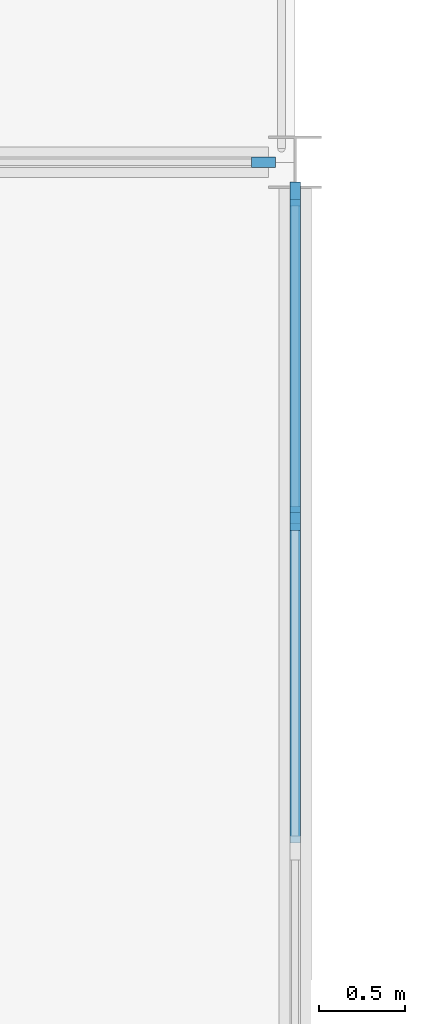
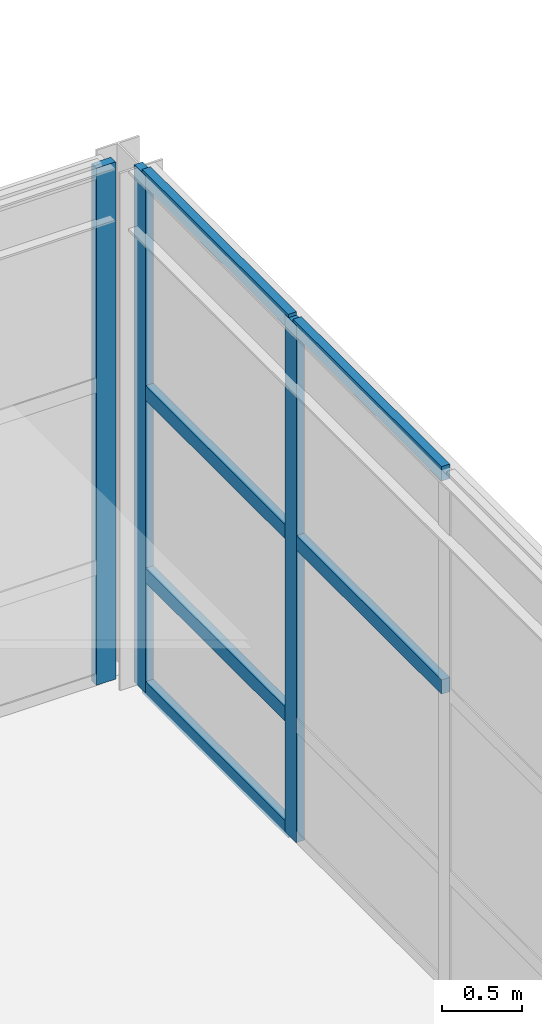
# One storey, part 10 of 15: 9 members, 2 elements without a shape of their own.
"""IFC4 building model written with IfcOpenShell, lengths in metres."""

import ifcopenshell
import ifcopenshell.guid

model = None  # the IFC model being written
_history = None  # IfcOwnerHistory: only IFC2X3 demands one
_inside = {}  # id of a spatial element -> (the spatial element, [elements in it])
_under = {}  # id of a project, library or spatial element -> (it, [spatial elements below it])
_declared = {}  # id of a project -> (the project, [libraries it declares])
_typed = {}  # id of a type object -> (the type object, [elements of that type])
_made_of = {}  # id of a material, layer set ... -> (it, [elements and type objects made of it])


def new_model(schema):
    """Start an empty IFC model of exactly this schema.

    Asked for "IFC4X3", IfcOpenShell would pick the latest addendum, in which some entities
    have other attributes; the version numbers below select the first issue.
    IFC2X3 requires an IfcOwnerHistory on every rooted entity: one is made here for all.
    """
    global model, _history
    if schema == "IFC4X3":
        model = ifcopenshell.file(schema_version=(4, 3, 0, 0))
    else:
        model = ifcopenshell.file(schema=schema)
    _inside.clear()
    _under.clear()
    _declared.clear()
    _typed.clear()
    _made_of.clear()
    _history = None
    if model.schema == "IFC2X3":
        org = make("IfcOrganization", Name="unknown")
        user = make(
            "IfcPersonAndOrganization",
            ThePerson=make("IfcPerson", FamilyName="unknown"),
            TheOrganization=org,
        )
        app = make(
            "IfcApplication",
            ApplicationDeveloper=org,
            Version="unknown",
            ApplicationFullName="unknown",
            ApplicationIdentifier="unknown",
        )
        _history = make(
            "IfcOwnerHistory",
            OwningUser=user,
            OwningApplication=app,
            ChangeAction="ADDED",
            CreationDate=0,
        )
    return model


def make(cls, **values):
    """One entity of the class cls with the attributes given. An attribute that is None is left unset."""
    return model.create_entity(
        cls, **{name: value for name, value in values.items() if value is not None}
    )


def rooted(cls, **values):
    """An entity with a GlobalId (a new one), such as an element, a storey or a relation."""
    return make(cls, GlobalId=ifcopenshell.guid.new(), OwnerHistory=_history, **values)


def si_unit(unit_type, name, prefix=None):
    """IfcSIUnit, for example si_unit("LENGTHUNIT", "METRE", prefix="MILLI")."""
    return make("IfcSIUnit", UnitType=unit_type, Prefix=prefix, Name=name)


def assignment(units):
    """IfcUnitAssignment: the units of a project."""
    return None if units is None else make("IfcUnitAssignment", Units=units)


def point(xyz):
    """IfcCartesianPoint."""
    return None if xyz is None else make("IfcCartesianPoint", Coordinates=xyz)


def direction(xyz):
    """IfcDirection."""
    return None if xyz is None else make("IfcDirection", DirectionRatios=xyz)


def frame(location, z_axis=None, x_axis=None):
    """IfcAxis2Placement3D, a coordinate frame: its origin and axes. An axis left out is left unset."""
    return make(
        "IfcAxis2Placement3D",
        Location=point(location),
        Axis=direction(z_axis),
        RefDirection=direction(x_axis),
    )


def frame_2d(location, x_axis=None):
    """IfcAxis2Placement2D, a coordinate frame in the plane: its origin and x axis."""
    return make(
        "IfcAxis2Placement2D", Location=point(location), RefDirection=direction(x_axis)
    )


def origin():
    """The frame at (0, 0, 0) with its axes left unset."""
    return frame((0.0, 0.0, 0.0))


def origin_2d():
    """The frame at (0, 0) in the plane with its x axis left unset."""
    return frame_2d((0.0, 0.0))


def place(relative_to, where):
    """IfcLocalPlacement: puts the frame where relative to a parent placement (None: the world)."""
    return make(
        "IfcLocalPlacement", PlacementRelTo=relative_to, RelativePlacement=where
    )


def context(
    kind, dimensions, precision=None, world=None, true_north=None, identifier=None
):
    """IfcGeometricRepresentationContext, for example the 3D "Model" context."""
    return make(
        "IfcGeometricRepresentationContext",
        ContextIdentifier=identifier,
        ContextType=kind,
        CoordinateSpaceDimension=dimensions,
        Precision=precision,
        WorldCoordinateSystem=world,
        TrueNorth=true_north,
    )


def subcontext(parent, identifier, kind, view, scale=None):
    """IfcGeometricRepresentationSubContext, for example "Body" below "Model"."""
    return make(
        "IfcGeometricRepresentationSubContext",
        ContextIdentifier=identifier,
        ContextType=kind,
        ParentContext=parent,
        TargetScale=scale,
        TargetView=view,
    )


def project(units=None, contexts=None):
    """IfcProject with its units and contexts."""
    return rooted(
        "IfcProject",
        Name="project",
        RepresentationContexts=contexts,
        UnitsInContext=assignment(units),
    )


def spatial(cls, under=None, at=None, **own):
    """A site, building, storey or space (cls), placed at a placement, below another one or the project."""
    s = rooted(cls, ObjectPlacement=at, **own)
    if under is not None:
        _under.setdefault(under.id(), (under, []))[1].append(s)
    return s


def profile(cls, at=None, kind="AREA", **sizes):
    """A parametric profile (cls). Its sizes go by their IFC names, for example OverallWidth=200.0."""
    return make(cls, ProfileType=kind, Position=at, **sizes)


def rectangle(**sizes):
    """IfcRectangleProfileDef."""
    return profile("IfcRectangleProfileDef", **sizes)


def extrude(swept, where, along, depth):
    """IfcExtrudedAreaSolid: the profile swept, set in the frame where, extruded along a direction by depth."""
    return make(
        "IfcExtrudedAreaSolid",
        SweptArea=swept,
        Position=where,
        ExtrudedDirection=direction(along),
        Depth=depth,
    )


def shape(context_of_items, identifier, shape_type, items):
    """IfcShapeRepresentation: the items that make up one representation, for example the "Body"."""
    return make(
        "IfcShapeRepresentation",
        ContextOfItems=context_of_items,
        RepresentationIdentifier=identifier,
        RepresentationType=shape_type,
        Items=items,
    )


def material(Name=None, Category=None):
    """IfcMaterial."""
    return make("IfcMaterial", Name=Name, Category=Category)


def layer(
    of_material, thickness, ventilated=None, Name=None, Category=None, Priority=None
):
    """IfcMaterialLayer: one layer of a wall or slab, of a material (None: an air gap)."""
    return make(
        "IfcMaterialLayer",
        Material=of_material,
        LayerThickness=thickness,
        IsVentilated=ventilated,
        Name=Name,
        Category=Category,
        Priority=Priority,
    )


def layer_set(layers, Name=None):
    """IfcMaterialLayerSet."""
    return make("IfcMaterialLayerSet", MaterialLayers=layers, LayerSetName=Name)


def material_profile(
    of_material, cross_section, Name=None, Category=None, Priority=None
):
    """IfcMaterialProfile: a cross section and its material."""
    return make(
        "IfcMaterialProfile",
        Name=Name,
        Material=of_material,
        Profile=cross_section,
        Priority=Priority,
        Category=Category,
    )


def profile_set(profiles, Name=None, composite=None):
    """IfcMaterialProfileSet."""
    return make(
        "IfcMaterialProfileSet",
        Name=Name,
        MaterialProfiles=profiles,
        CompositeProfile=composite,
    )


def made_of(thing, what):
    """Note that an element or type object is made of a material, layer set ...; save() writes the relation."""
    if what is not None:
        _made_of.setdefault(what.id(), (what, []))[1].append(thing)
    return thing


def type_object(cls, material=None, **own):
    """A type object (cls), such as IfcWallType, which elements share."""
    return made_of(rooted(cls, **own), material)


def element(
    cls,
    number,
    at=None,
    inside=None,
    cuts=None,
    type_object=None,
    material=None,
    context=None,
    identifier="Body",
    shape_type=None,
    held_by="IfcProductDefinitionShape",
    body=None,
    shapes=None,
    **own,
):
    """One element of the class cls, such as IfcWall. Its Tag is "e" and its number.

    at: its placement. inside: the storey or other place that contains it. cuts: it is an
    opening in that element (IfcRelVoidsElement). A single representation is given by context,
    identifier, shape_type and body (its items); several are given by shapes. held_by: the class
    of the entity that holds the representations. save() writes the other relations.
    """
    e = rooted(cls, Tag="e%d" % number, ObjectPlacement=at, **own)
    if body is not None:
        shapes = [shape(context, identifier, shape_type, body)]
    if shapes is not None:
        e.Representation = make(held_by, Representations=shapes)
    if inside is not None:
        _inside.setdefault(inside.id(), (inside, []))[1].append(e)
    if cuts is not None:
        rooted(
            "IfcRelVoidsElement", RelatingBuildingElement=cuts, RelatedOpeningElement=e
        )
    if type_object is not None:
        _typed.setdefault(type_object.id(), (type_object, []))[1].append(e)
    return made_of(e, material)


def aggregate(whole, parts):
    """IfcRelAggregates: a whole, such as a stair, and the parts it consists of."""
    return rooted("IfcRelAggregates", RelatingObject=whole, RelatedObjects=parts)


def save(model, path):
    """Write the relations noted so far, then the file.

    IfcRelAggregates (storeys below a building ...), IfcRelContainedInSpatialStructure (elements
    in a storey), IfcRelDefinesByType, IfcRelAssociatesMaterial and IfcRelDeclares: one each for
    every whole, place, type object, material and project.
    """
    for whole, parts in _under.values():
        aggregate(whole, parts)
    for where, things in _inside.values():
        rooted(
            "IfcRelContainedInSpatialStructure",
            RelatedElements=things,
            RelatingStructure=where,
        )
    for kind, things in _typed.values():
        rooted("IfcRelDefinesByType", RelatedObjects=things, RelatingType=kind)
    for what, things in _made_of.values():
        rooted("IfcRelAssociatesMaterial", RelatedObjects=things, RelatingMaterial=what)
    for by, libraries in _declared.values():
        rooted("IfcRelDeclares", RelatingContext=by, RelatedDefinitions=libraries)
    model.write(path)


model = new_model("IFC4")

# Units and contexts
model_context = context("Model", 3, precision=1e-05, world=origin(), true_north=direction((0.0, 1.0)))
body_context = subcontext(model_context, "Body", "Model", "MODEL_VIEW")
ifc_project = project(units=[si_unit("LENGTHUNIT", "METRE"), si_unit("AREAUNIT", "SQUARE_METRE"), si_unit("VOLUMEUNIT", "CUBIC_METRE"), si_unit("PLANEANGLEUNIT", "RADIAN"), si_unit("MASSUNIT", "GRAM", prefix="KILO")], contexts=[model_context])

# Site, building, storey
site_placement = place(None, origin())
site = spatial("IfcSite", under=ifc_project, at=site_placement, CompositionType="ELEMENT")
building_placement = place(site_placement, origin())
building = spatial("IfcBuilding", under=site, at=building_placement, Name="Varnela Railside Interchange", CompositionType="ELEMENT")
storey_placement = place(building_placement, frame((0.0, 0.0, 32.199951171875)))
storey = spatial("IfcBuildingStorey", under=building, at=storey_placement, Name="L07", CompositionType="ELEMENT", Elevation=32.199951171875)

# Curtain wall, member
ifc_material = material(Name="Aluminium 6063-T6", Category="aluminium")
ifc_layer = layer(ifc_material, 0.035888671875)
ifc_layer_set = layer_set([ifc_layer], Name="Aluminium 6063-T6")
curtain_wall_type = type_object("IfcCurtainWallType", Name="Operations Wing Facade Curtain Wall CW-03", PredefinedType="USERDEFINED", material=ifc_layer_set)
curtain_wall_1_placement = place(storey_placement, origin())
curtain_wall_1 = element("IfcCurtainWall", 1, at=curtain_wall_1_placement, inside=storey, type_object=curtain_wall_type, Name="Curtain Wall CW-03 (L07) (CW-151)", ObjectType="CURTAIN WALL", PredefinedType="USERDEFINED")
ifc_material_profile_1 = material_profile(ifc_material, rectangle(XDim=0.06005859375, YDim=0.139892578125, at=origin_2d()), Name="ALU 60x140")
ifc_profile_set_1 = profile_set([ifc_material_profile_1], Name="Aluminium 6063-T6")
member_type_1 = type_object("IfcMemberType", Name="Curtain Wall Mullion ML-01", PredefinedType="MULLION", material=ifc_profile_set_1)
member_1_placement = place(storey_placement, frame((35.81494140625, 86.0, 0.0), z_axis=(0.0, 0.0, 1.0), x_axis=(0.0, 1.0, 0.0)))
member_1 = element("IfcMember", 2, at=member_1_placement, type_object=member_type_1, Name="CW-03 mullion 5", PredefinedType="MULLION", context=body_context, shape_type="SweptSolid", body=[
    extrude(rectangle(XDim=0.06005859375, YDim=0.139892578125, at=origin_2d()), origin(), (0.0, 0.0, 1.0), 3.9599609375),
])
aggregate(curtain_wall_1, [member_1])

# Curtain wall, members
curtain_wall_2_placement = place(storey_placement, origin())
curtain_wall_2 = element("IfcCurtainWall", 3, at=curtain_wall_2_placement, inside=storey, type_object=curtain_wall_type, Name="Curtain Wall CW-03 (L07) (CW-152)", ObjectType="CURTAIN WALL", PredefinedType="USERDEFINED")
member_2_placement = place(storey_placement, frame((36.0, 85.81591796875, 0.0), z_axis=(0.0, 0.0, 1.0), x_axis=(1.0, 0.0, 0.0)))
member_2 = element("IfcMember", 4, at=member_2_placement, type_object=member_type_1, Name="CW-03 mullion 1", PredefinedType="MULLION", context=body_context, shape_type="SweptSolid", body=[
    extrude(rectangle(XDim=0.06005859375, YDim=0.139892578125, at=origin_2d()), origin(), (0.0, 0.0, 1.0), 3.9599609375),
])
member_3_placement = place(storey_placement, frame((36.0, 83.923095703125, 0.0), z_axis=(0.0, 0.0, 1.0), x_axis=(1.0, 0.0, 0.0)))
member_3 = element("IfcMember", 5, at=member_3_placement, type_object=member_type_1, Name="CW-03 mullion 2", PredefinedType="MULLION", context=body_context, shape_type="SweptSolid", body=[
    extrude(rectangle(XDim=0.06005859375, YDim=0.139892578125, at=origin_2d()), origin(), (0.0, 0.0, 1.0), 3.9599609375),
])
ifc_material_profile_2 = material_profile(ifc_material, rectangle(XDim=0.06005859375, YDim=0.110107421875, at=origin_2d()), Name="ALU 60x110")
ifc_profile_set_2 = profile_set([ifc_material_profile_2], Name="Aluminium 6063-T6")
member_type_2 = type_object("IfcMemberType", Name="Curtain Wall Transom TR-01", PredefinedType="USERDEFINED", material=ifc_profile_set_2)
member_4_placement = place(storey_placement, frame((36.0, 85.785888671875, 0.030029296875), z_axis=(0.0, -1.0, 0.0), x_axis=(1.0, 0.0, 0.0)))
member_4 = element("IfcMember", 6, at=member_4_placement, type_object=member_type_2, Name="CW-03 transom 1.1", ObjectType="TRANSOM", PredefinedType="USERDEFINED", context=body_context, shape_type="SweptSolid", body=[
    extrude(rectangle(XDim=0.06005859375, YDim=0.110107421875, at=origin_2d()), origin(), (0.0, 0.0, 1.0), 1.8330078125),
])
member_5_placement = place(storey_placement, frame((36.0, 85.785888671875, 0.900146484375), z_axis=(0.0, -1.0, 0.0), x_axis=(1.0, 0.0, 0.0)))
member_5 = element("IfcMember", 7, at=member_5_placement, type_object=member_type_2, Name="CW-03 transom 1.2", ObjectType="TRANSOM", PredefinedType="USERDEFINED", context=body_context, shape_type="SweptSolid", body=[
    extrude(rectangle(XDim=0.06005859375, YDim=0.110107421875, at=origin_2d()), origin(), (0.0, 0.0, 1.0), 1.8330078125),
])
member_6_placement = place(storey_placement, frame((36.0, 85.785888671875, 2.296875), z_axis=(0.0, -1.0, 0.0), x_axis=(1.0, 0.0, 0.0)))
member_6 = element("IfcMember", 8, at=member_6_placement, type_object=member_type_2, Name="CW-03 transom 1.3", ObjectType="TRANSOM", PredefinedType="USERDEFINED", context=body_context, shape_type="SweptSolid", body=[
    extrude(rectangle(XDim=0.06005859375, YDim=0.110107421875, at=origin_2d()), origin(), (0.0, 0.0, 1.0), 1.8330078125),
])
member_7_placement = place(storey_placement, frame((36.0, 85.785888671875, 3.929931640625), z_axis=(0.0, -1.0, 0.0), x_axis=(1.0, 0.0, 0.0)))
member_7 = element("IfcMember", 9, at=member_7_placement, type_object=member_type_2, Name="CW-03 transom 1.4", ObjectType="TRANSOM", PredefinedType="USERDEFINED", context=body_context, shape_type="SweptSolid", body=[
    extrude(rectangle(XDim=0.06005859375, YDim=0.110107421875, at=origin_2d()), origin(), (0.0, 0.0, 1.0), 1.8330078125),
])
member_8_placement = place(storey_placement, frame((36.0, 83.89306640625, 2.296875), z_axis=(0.0, -1.0, 0.0), x_axis=(1.0, 0.0, 0.0)))
member_8 = element("IfcMember", 10, at=member_8_placement, type_object=member_type_2, Name="CW-03 transom 2.3", ObjectType="TRANSOM", PredefinedType="USERDEFINED", context=body_context, shape_type="SweptSolid", body=[
    extrude(rectangle(XDim=0.06005859375, YDim=0.110107421875, at=origin_2d()), origin(), (0.0, 0.0, 1.0), 1.863037109375),
])
member_9_placement = place(storey_placement, frame((36.0, 83.89306640625, 3.929931640625), z_axis=(0.0, -1.0, 0.0), x_axis=(1.0, 0.0, 0.0)))
member_9 = element("IfcMember", 11, at=member_9_placement, type_object=member_type_2, Name="CW-03 transom 2.4", ObjectType="TRANSOM", PredefinedType="USERDEFINED", context=body_context, shape_type="SweptSolid", body=[
    extrude(rectangle(XDim=0.06005859375, YDim=0.110107421875, at=origin_2d()), origin(), (0.0, 0.0, 1.0), 1.863037109375),
])
aggregate(curtain_wall_2, [member_2, member_3, member_4, member_5, member_6, member_7, member_8, member_9])

save(model, "model.ifc")
